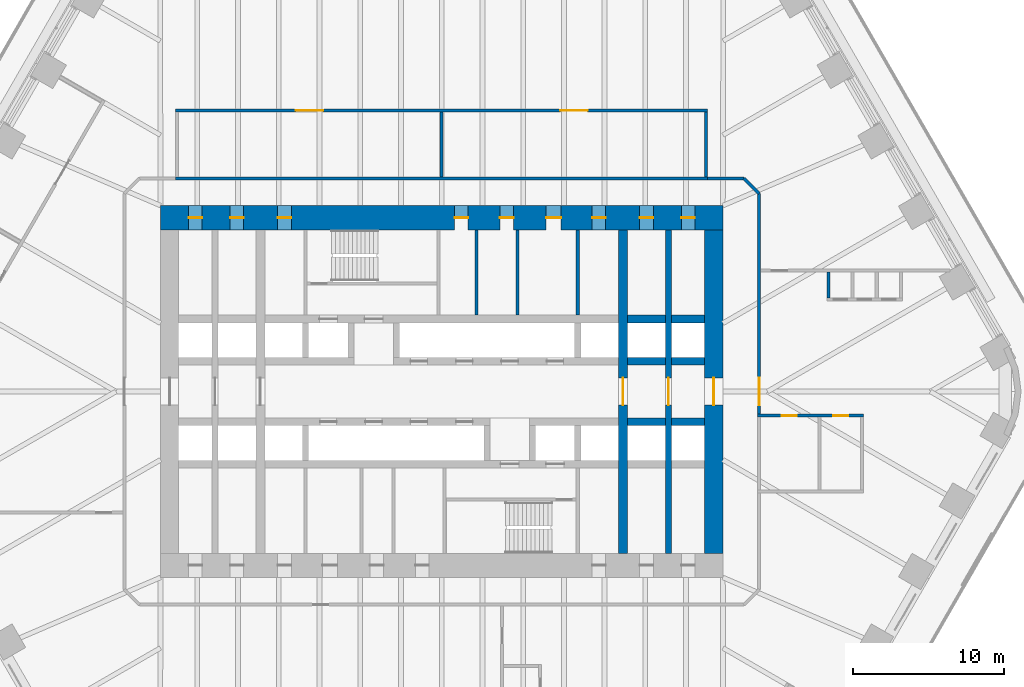
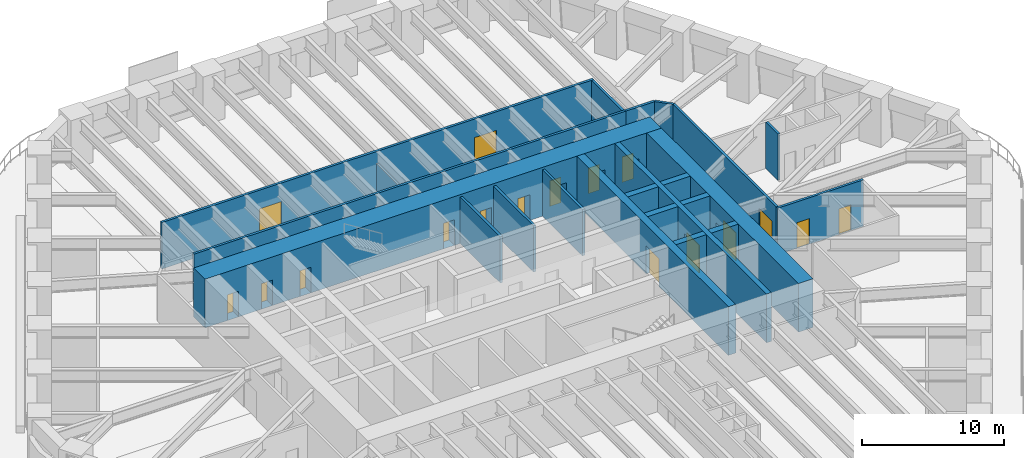
# One storey, part 19 of 24: 22 walls, 17 doors, 17 openings.
"""IFC4 building model written with IfcOpenShell, lengths in metres."""

import ifcopenshell
import ifcopenshell.guid

model = None  # the IFC model being written
_history = None  # IfcOwnerHistory: only IFC2X3 demands one
_inside = {}  # id of a spatial element -> (the spatial element, [elements in it])
_under = {}  # id of a project, library or spatial element -> (it, [spatial elements below it])
_declared = {}  # id of a project -> (the project, [libraries it declares])
_typed = {}  # id of a type object -> (the type object, [elements of that type])
_made_of = {}  # id of a material, layer set ... -> (it, [elements and type objects made of it])


def new_model(schema):
    """Start an empty IFC model of exactly this schema.

    Asked for "IFC4X3", IfcOpenShell would pick the latest addendum, in which some entities
    have other attributes; the version numbers below select the first issue.
    IFC2X3 requires an IfcOwnerHistory on every rooted entity: one is made here for all.
    """
    global model, _history
    if schema == "IFC4X3":
        model = ifcopenshell.file(schema_version=(4, 3, 0, 0))
    else:
        model = ifcopenshell.file(schema=schema)
    _inside.clear()
    _under.clear()
    _declared.clear()
    _typed.clear()
    _made_of.clear()
    _history = None
    if model.schema == "IFC2X3":
        org = make("IfcOrganization", Name="unknown")
        user = make(
            "IfcPersonAndOrganization",
            ThePerson=make("IfcPerson", FamilyName="unknown"),
            TheOrganization=org,
        )
        app = make(
            "IfcApplication",
            ApplicationDeveloper=org,
            Version="unknown",
            ApplicationFullName="unknown",
            ApplicationIdentifier="unknown",
        )
        _history = make(
            "IfcOwnerHistory",
            OwningUser=user,
            OwningApplication=app,
            ChangeAction="ADDED",
            CreationDate=0,
        )
    return model


def make(cls, **values):
    """One entity of the class cls with the attributes given. An attribute that is None is left unset."""
    return model.create_entity(
        cls, **{name: value for name, value in values.items() if value is not None}
    )


def rooted(cls, **values):
    """An entity with a GlobalId (a new one), such as an element, a storey or a relation."""
    return make(cls, GlobalId=ifcopenshell.guid.new(), OwnerHistory=_history, **values)


def si_unit(unit_type, name, prefix=None):
    """IfcSIUnit, for example si_unit("LENGTHUNIT", "METRE", prefix="MILLI")."""
    return make("IfcSIUnit", UnitType=unit_type, Prefix=prefix, Name=name)


def assignment(units):
    """IfcUnitAssignment: the units of a project."""
    return None if units is None else make("IfcUnitAssignment", Units=units)


def point(xyz):
    """IfcCartesianPoint."""
    return None if xyz is None else make("IfcCartesianPoint", Coordinates=xyz)


def direction(xyz):
    """IfcDirection."""
    return None if xyz is None else make("IfcDirection", DirectionRatios=xyz)


def frame(location, z_axis=None, x_axis=None):
    """IfcAxis2Placement3D, a coordinate frame: its origin and axes. An axis left out is left unset."""
    return make(
        "IfcAxis2Placement3D",
        Location=point(location),
        Axis=direction(z_axis),
        RefDirection=direction(x_axis),
    )


def frame_2d(location, x_axis=None):
    """IfcAxis2Placement2D, a coordinate frame in the plane: its origin and x axis."""
    return make(
        "IfcAxis2Placement2D", Location=point(location), RefDirection=direction(x_axis)
    )


def origin():
    """The frame at (0, 0, 0) with its axes left unset."""
    return frame((0.0, 0.0, 0.0))


def place(relative_to, where):
    """IfcLocalPlacement: puts the frame where relative to a parent placement (None: the world)."""
    return make(
        "IfcLocalPlacement", PlacementRelTo=relative_to, RelativePlacement=where
    )


def context(
    kind, dimensions, precision=None, world=None, true_north=None, identifier=None
):
    """IfcGeometricRepresentationContext, for example the 3D "Model" context."""
    return make(
        "IfcGeometricRepresentationContext",
        ContextIdentifier=identifier,
        ContextType=kind,
        CoordinateSpaceDimension=dimensions,
        Precision=precision,
        WorldCoordinateSystem=world,
        TrueNorth=true_north,
    )


def subcontext(parent, identifier, kind, view, scale=None):
    """IfcGeometricRepresentationSubContext, for example "Body" below "Model"."""
    return make(
        "IfcGeometricRepresentationSubContext",
        ContextIdentifier=identifier,
        ContextType=kind,
        ParentContext=parent,
        TargetScale=scale,
        TargetView=view,
    )


def project(units=None, contexts=None):
    """IfcProject with its units and contexts."""
    return rooted(
        "IfcProject",
        Name="project",
        RepresentationContexts=contexts,
        UnitsInContext=assignment(units),
    )


def spatial(cls, under=None, at=None, **own):
    """A site, building, storey or space (cls), placed at a placement, below another one or the project."""
    s = rooted(cls, ObjectPlacement=at, **own)
    if under is not None:
        _under.setdefault(under.id(), (under, []))[1].append(s)
    return s


def profile(cls, at=None, kind="AREA", **sizes):
    """A parametric profile (cls). Its sizes go by their IFC names, for example OverallWidth=200.0."""
    return make(cls, ProfileType=kind, Position=at, **sizes)


def rectangle(**sizes):
    """IfcRectangleProfileDef."""
    return profile("IfcRectangleProfileDef", **sizes)


def extrude(swept, where, along, depth):
    """IfcExtrudedAreaSolid: the profile swept, set in the frame where, extruded along a direction by depth."""
    return make(
        "IfcExtrudedAreaSolid",
        SweptArea=swept,
        Position=where,
        ExtrudedDirection=direction(along),
        Depth=depth,
    )


def shape(context_of_items, identifier, shape_type, items):
    """IfcShapeRepresentation: the items that make up one representation, for example the "Body"."""
    return make(
        "IfcShapeRepresentation",
        ContextOfItems=context_of_items,
        RepresentationIdentifier=identifier,
        RepresentationType=shape_type,
        Items=items,
    )


def material(Name=None, Category=None):
    """IfcMaterial."""
    return make("IfcMaterial", Name=Name, Category=Category)


def layer(
    of_material, thickness, ventilated=None, Name=None, Category=None, Priority=None
):
    """IfcMaterialLayer: one layer of a wall or slab, of a material (None: an air gap)."""
    return make(
        "IfcMaterialLayer",
        Material=of_material,
        LayerThickness=thickness,
        IsVentilated=ventilated,
        Name=Name,
        Category=Category,
        Priority=Priority,
    )


def layer_set(layers, Name=None):
    """IfcMaterialLayerSet."""
    return make("IfcMaterialLayerSet", MaterialLayers=layers, LayerSetName=Name)


def made_of(thing, what):
    """Note that an element or type object is made of a material, layer set ...; save() writes the relation."""
    if what is not None:
        _made_of.setdefault(what.id(), (what, []))[1].append(thing)
    return thing


def type_object(cls, material=None, **own):
    """A type object (cls), such as IfcWallType, which elements share."""
    return made_of(rooted(cls, **own), material)


def element(
    cls,
    number,
    at=None,
    inside=None,
    cuts=None,
    type_object=None,
    material=None,
    context=None,
    identifier="Body",
    shape_type=None,
    held_by="IfcProductDefinitionShape",
    body=None,
    shapes=None,
    **own,
):
    """One element of the class cls, such as IfcWall. Its Tag is "e" and its number.

    at: its placement. inside: the storey or other place that contains it. cuts: it is an
    opening in that element (IfcRelVoidsElement). A single representation is given by context,
    identifier, shape_type and body (its items); several are given by shapes. held_by: the class
    of the entity that holds the representations. save() writes the other relations.
    """
    e = rooted(cls, Tag="e%d" % number, ObjectPlacement=at, **own)
    if body is not None:
        shapes = [shape(context, identifier, shape_type, body)]
    if shapes is not None:
        e.Representation = make(held_by, Representations=shapes)
    if inside is not None:
        _inside.setdefault(inside.id(), (inside, []))[1].append(e)
    if cuts is not None:
        rooted(
            "IfcRelVoidsElement", RelatingBuildingElement=cuts, RelatedOpeningElement=e
        )
    if type_object is not None:
        _typed.setdefault(type_object.id(), (type_object, []))[1].append(e)
    return made_of(e, material)


def fill(opening, filler):
    """IfcRelFillsElement: the door or window that sits in an opening."""
    return rooted(
        "IfcRelFillsElement",
        RelatingOpeningElement=opening,
        RelatedBuildingElement=filler,
    )


def aggregate(whole, parts):
    """IfcRelAggregates: a whole, such as a stair, and the parts it consists of."""
    return rooted("IfcRelAggregates", RelatingObject=whole, RelatedObjects=parts)


def save(model, path):
    """Write the relations noted so far, then the file.

    IfcRelAggregates (storeys below a building ...), IfcRelContainedInSpatialStructure (elements
    in a storey), IfcRelDefinesByType, IfcRelAssociatesMaterial and IfcRelDeclares: one each for
    every whole, place, type object, material and project.
    """
    for whole, parts in _under.values():
        aggregate(whole, parts)
    for where, things in _inside.values():
        rooted(
            "IfcRelContainedInSpatialStructure",
            RelatedElements=things,
            RelatingStructure=where,
        )
    for kind, things in _typed.values():
        rooted("IfcRelDefinesByType", RelatedObjects=things, RelatingType=kind)
    for what, things in _made_of.values():
        rooted("IfcRelAssociatesMaterial", RelatedObjects=things, RelatingMaterial=what)
    for by, libraries in _declared.values():
        rooted("IfcRelDeclares", RelatingContext=by, RelatedDefinitions=libraries)
    model.write(path)


model = new_model("IFC4")

# Units and contexts
model_context = context("Model", 3, precision=1e-05, world=origin(), true_north=direction((0.0, 1.0)))
body_context = subcontext(model_context, "Body", "Model", "MODEL_VIEW")
ifc_project = project(units=[si_unit("LENGTHUNIT", "METRE"), si_unit("AREAUNIT", "SQUARE_METRE"), si_unit("VOLUMEUNIT", "CUBIC_METRE"), si_unit("PLANEANGLEUNIT", "RADIAN"), si_unit("MASSUNIT", "GRAM", prefix="KILO")], contexts=[model_context])

# Site, building, storey
site_placement = place(None, origin())
site = spatial("IfcSite", under=ifc_project, at=site_placement, CompositionType="ELEMENT")
building_placement = place(site_placement, origin())
building = spatial("IfcBuilding", under=site, at=building_placement, Name="Tarfa Lantern Tower", CompositionType="ELEMENT")
storey_placement = place(building_placement, frame((0.0, 0.0, 94.89990234375)))
storey = spatial("IfcBuildingStorey", under=building, at=storey_placement, Name="L21", CompositionType="ELEMENT", Elevation=94.89990234375)

# Walls
ifc_material_1 = material(Name="Concrete blockwork", Category="masonry")
ifc_layer_1 = layer(ifc_material_1, 0.199951171875)
ifc_layer_set_1 = layer_set([ifc_layer_1], Name="IW1 BLOCKWORK PARTITION 200 EI 120")
wall_type_1 = type_object("IfcWallType", Name="IW1 BLOCKWORK PARTITION 200 EI 120", PredefinedType="PARTITIONING", material=ifc_layer_set_1)
for number, where, z_axis, x_axis, name in (
    (1, (9.0, 5.050048828125, 0.0), (0.0, 0.0, 1.0), (0.0, 1.0, 0.0), "Core partition"),
    (2, (2.300048828125, 5.050048828125, 0.0), (0.0, 0.0, 1.0), (0.0, 1.0, 0.0), "Core partition"),
    (3, (5.0, 5.050048828125, 0.0), (0.0, 0.0, 1.0), (0.0, 1.0, 0.0), "Core partition"),
):
    element("IfcWall", number, at=place(storey_placement, frame(where, z_axis=z_axis, x_axis=x_axis)), inside=storey, type_object=wall_type_1, Name=name, PredefinedType="PARTITIONING", context=body_context, shape_type="SweptSolid", body=[
        extrude(rectangle(XDim=5.64990234375, YDim=0.199951171875, at=frame_2d((2.824951171875, 0.0))), origin(), (0.0, 0.0, 1.0), 4.0),
    ])
ifc_material_2 = material(Name="Gypsum board on steel studs", Category="steel")
ifc_layer_2 = layer(ifc_material_2, 0.2099609375)
ifc_layer_set_2 = layer_set([ifc_layer_2], Name="IW2 ACOUSTIC PARTITION 200")
wall_type_2 = type_object("IfcWallType", Name="IW2 ACOUSTIC PARTITION 200", PredefinedType="PARTITIONING", material=ifc_layer_set_2)
wall_1_placement = place(storey_placement, frame((-17.60009765625, 14.10009765625, 0.0), z_axis=(0.0, 0.0, 1.0), x_axis=(1.0, 0.0, 0.0)))
element("IfcWall", 4, at=wall_1_placement, inside=storey, type_object=wall_type_2, Name="Partition", PredefinedType="PARTITIONING", context=body_context, shape_type="SweptSolid", body=[
    extrude(rectangle(XDim=35.2001953125, YDim=0.199951171875, at=frame_2d((17.60009765625, 0.0))), origin(), (0.0, 0.0, 1.0), 4.0),
])

# Wall, openings, doors
wall_2_placement = place(storey_placement, frame((-17.60009765625, 18.60009765625, 0.0), z_axis=(0.0, 0.0, 1.0), x_axis=(1.0, 0.0, 0.0)))
wall_2 = element("IfcWall", 5, at=wall_2_placement, inside=storey, type_object=wall_type_2, Name="Partition", PredefinedType="PARTITIONING", context=body_context, shape_type="SweptSolid", body=[
    extrude(rectangle(XDim=35.2001953125, YDim=0.199951171875, at=frame_2d((17.60009765625, 0.0))), origin(), (0.0, 0.0, 1.0), 4.0),
])
opening_1_placement = place(wall_2_placement, frame((7.949951171875, 0.0, 0.0)))
opening_1 = element("IfcOpeningElement", 6, at=opening_1_placement, cuts=wall_2, Name="Opening D34", PredefinedType="OPENING", context=body_context, shape_type="SweptSolid", body=[
    extrude(rectangle(XDim=1.800048828125, YDim=2.39990234375, at=frame_2d((0.89990234375, 1.199951171875))), frame((0.0, 0.10986328125, 0.0), z_axis=(0.0, -1.0, 0.0), x_axis=(1.0, 0.0, 0.0)), (0.0, 0.0, 1.0), 0.219970703125),
])
opening_2_placement = place(wall_2_placement, frame((25.449951171875, 0.0, 0.0)))
opening_2 = element("IfcOpeningElement", 7, at=opening_2_placement, cuts=wall_2, Name="Opening D35", PredefinedType="OPENING", context=body_context, shape_type="SweptSolid", body=[
    extrude(rectangle(XDim=1.800048828125, YDim=2.39990234375, at=frame_2d((0.89990234375, 1.199951171875))), frame((0.0, 0.10986328125, 0.0), z_axis=(0.0, -1.0, 0.0), x_axis=(1.0, 0.0, 0.0)), (0.0, 0.0, 1.0), 0.219970703125),
])
ifc_material_3 = material(Name="Timber door", Category="wood")
door_type_1 = type_object("IfcDoorType", Name="DR2 ROOM DOOR 1800x2400", OperationType="DOUBLE_DOOR_SINGLE_SWING", PredefinedType="DOOR", material=ifc_material_3)
door_1_placement = place(opening_1_placement, frame((1.800048828125, 0.0, 0.0), z_axis=(0.0, 0.0, 1.0), x_axis=(-1.0, 0.0, 0.0)))
door_1 = element("IfcDoor", 8, at=door_1_placement, inside=storey, type_object=door_type_1, Name="Help desk office door", OperationType="DOUBLE_DOOR_SINGLE_SWING", OverallHeight=2.39990234375, OverallWidth=1.800048828125, PredefinedType="DOOR", context=body_context, shape_type="SweptSolid", body=[
    extrude(rectangle(XDim=1.800048828125, YDim=2.39990234375, at=frame_2d((0.89990234375, 1.199951171875))), frame((0.0, 0.02490234375, 0.0), z_axis=(0.0, -1.0, 0.0), x_axis=(1.0, 0.0, 0.0)), (0.0, 0.0, 1.0), 0.050048828125),
])
fill(opening_1, door_1)
door_2_placement = place(opening_2_placement, frame((1.800048828125, 0.0, 0.0), z_axis=(0.0, 0.0, 1.0), x_axis=(-1.0, 0.0, 0.0)))
door_2 = element("IfcDoor", 9, at=door_2_placement, inside=storey, type_object=door_type_1, Name="Workshop store door", OperationType="DOUBLE_DOOR_SINGLE_SWING", OverallHeight=2.39990234375, OverallWidth=1.800048828125, PredefinedType="DOOR", context=body_context, shape_type="SweptSolid", body=[
    extrude(rectangle(XDim=1.800048828125, YDim=2.39990234375, at=frame_2d((0.89990234375, 1.199951171875))), frame((0.0, 0.02490234375, 0.0), z_axis=(0.0, -1.0, 0.0), x_axis=(1.0, 0.0, 0.0)), (0.0, 0.0, 1.0), 0.050048828125),
])
fill(opening_2, door_2)

# Walls
wall_3_placement = place(storey_placement, frame((0.0, 14.199951171875, 0.0), z_axis=(0.0, 0.0, 1.0), x_axis=(0.0, 1.0, 0.0)))
element("IfcWall", 10, at=wall_3_placement, inside=storey, type_object=wall_type_2, Name="Partition", PredefinedType="PARTITIONING", context=body_context, shape_type="SweptSolid", body=[
    extrude(rectangle(XDim=4.300048828125, YDim=0.199951171875, at=frame_2d((2.14990234375, 0.0))), origin(), (0.0, 0.0, 1.0), 2.944091796875),
])
wall_4_placement = place(storey_placement, frame((17.5, 14.199951171875, 0.0), z_axis=(0.0, 0.0, 1.0), x_axis=(0.0, 1.0, 0.0)))
element("IfcWall", 11, at=wall_4_placement, inside=storey, type_object=wall_type_2, Name="Partition", PredefinedType="PARTITIONING", context=body_context, shape_type="SweptSolid", body=[
    extrude(rectangle(XDim=4.300048828125, YDim=0.199951171875, at=frame_2d((2.14990234375, 0.0))), origin(), (0.0, 0.0, 1.0), 4.0),
])

# Wall, openings, doors
wall_5_placement = place(storey_placement, frame((20.89990234375, -1.60009765625, 0.0), z_axis=(0.0, 0.0, 1.0), x_axis=(1.0, 0.0, 0.0)))
wall_5 = element("IfcWall", 12, at=wall_5_placement, inside=storey, type_object=wall_type_2, Name="Partition", PredefinedType="PARTITIONING", context=body_context, shape_type="SweptSolid", body=[
    extrude(rectangle(XDim=7.0, YDim=0.199951171875, at=frame_2d((3.5, 0.0))), origin(), (0.0, 0.0, 1.0), 4.0),
])
opening_3_placement = place(wall_5_placement, frame((1.60009765625, 0.0, 0.0)))
opening_3 = element("IfcOpeningElement", 13, at=opening_3_placement, cuts=wall_5, Name="Opening D29", PredefinedType="OPENING", context=body_context, shape_type="SweptSolid", body=[
    extrude(rectangle(XDim=1.0, YDim=2.199951171875, at=frame_2d((0.5, 1.10009765625))), frame((0.0, 0.10986328125, 0.0), z_axis=(0.0, -1.0, 0.0), x_axis=(1.0, 0.0, 0.0)), (0.0, 0.0, 1.0), 0.219970703125),
])
opening_4_placement = place(wall_5_placement, frame((5.0, 0.0, 0.0)))
opening_4 = element("IfcOpeningElement", 14, at=opening_4_placement, cuts=wall_5, Name="Opening D30", PredefinedType="OPENING", context=body_context, shape_type="SweptSolid", body=[
    extrude(rectangle(XDim=1.0, YDim=2.199951171875, at=frame_2d((0.5, 1.10009765625))), frame((0.0, 0.10986328125, 0.0), z_axis=(0.0, -1.0, 0.0), x_axis=(1.0, 0.0, 0.0)), (0.0, 0.0, 1.0), 0.219970703125),
])
door_type_2 = type_object("IfcDoorType", Name="DR1 ROOM DOOR 1000x2200", OperationType="SINGLE_SWING_LEFT", PredefinedType="DOOR", material=ifc_material_3)
door_3_placement = place(opening_3_placement, frame((1.0, 0.0, 0.0), z_axis=(0.0, 0.0, 1.0), x_axis=(-1.0, 0.0, 0.0)))
door_3 = element("IfcDoor", 15, at=door_3_placement, inside=storey, type_object=door_type_2, Name="Pantry door", OperationType="SINGLE_SWING_LEFT", OverallHeight=2.199951171875, OverallWidth=1.0, PredefinedType="DOOR", context=body_context, shape_type="SweptSolid", body=[
    extrude(rectangle(XDim=1.0, YDim=2.199951171875, at=frame_2d((0.5, 1.10009765625))), frame((0.0, 0.02490234375, 0.0), z_axis=(0.0, -1.0, 0.0), x_axis=(1.0, 0.0, 0.0)), (0.0, 0.0, 1.0), 0.050048828125),
])
fill(opening_3, door_3)
door_4_placement = place(opening_4_placement, frame((1.0, 0.0, 0.0), z_axis=(0.0, 0.0, 1.0), x_axis=(-1.0, 0.0, 0.0)))
door_4 = element("IfcDoor", 16, at=door_4_placement, inside=storey, type_object=door_type_2, Name="Focus room door", OperationType="SINGLE_SWING_RIGHT", OverallHeight=2.199951171875, OverallWidth=1.0, PredefinedType="DOOR", context=body_context, shape_type="SweptSolid", body=[
    extrude(rectangle(XDim=1.0, YDim=2.199951171875, at=frame_2d((0.5, 1.10009765625))), frame((0.0, 0.02490234375, 0.0), z_axis=(0.0, -1.0, 0.0), x_axis=(1.0, 0.0, 0.0)), (0.0, 0.0, 1.0), 0.050048828125),
])
fill(opening_4, door_4)

# Walls
wall_6_placement = place(storey_placement, frame((17.60009765625, 14.10009765625, 0.0), z_axis=(0.0, 0.0, 1.0), x_axis=(1.0, 0.0, 0.0)))
element("IfcWall", 17, at=wall_6_placement, inside=storey, type_object=wall_type_2, Name="Partition", PredefinedType="PARTITIONING", context=body_context, shape_type="SweptSolid", body=[
    extrude(rectangle(XDim=2.39990234375, YDim=0.199951171875, at=frame_2d((1.199951171875, 0.0))), origin(), (0.0, 0.0, 1.0), 4.0),
])
wall_7_placement = place(storey_placement, frame((20.0, 14.10009765625, 0.0), z_axis=(0.0, 0.0, 1.0), x_axis=(0.707106781187, -0.707106781187, 0.0)))
element("IfcWall", 18, at=wall_7_placement, inside=storey, type_object=wall_type_2, Name="Partition", PredefinedType="PARTITIONING", context=body_context, shape_type="SweptSolid", body=[
    extrude(rectangle(XDim=1.414306640625, YDim=0.199951171875, at=frame_2d((0.70703125, 0.0))), origin(), (0.0, 0.0, 1.0), 4.0),
])

# Wall, opening, door
wall_8_placement = place(storey_placement, frame((21.0, 13.10009765625, 0.0), z_axis=(0.0, 0.0, 1.0), x_axis=(0.0, -1.0, 0.0)))
wall_8 = element("IfcWall", 19, at=wall_8_placement, inside=storey, type_object=wall_type_2, Name="Partition", PredefinedType="PARTITIONING", context=body_context, shape_type="SweptSolid", body=[
    extrude(rectangle(XDim=14.59912109375, YDim=0.199951171875, at=frame_2d((7.299560546875, 0.0))), origin(), (0.0, 0.0, 1.0), 4.0),
])
opening_5_placement = place(wall_8_placement, frame((12.199951171875, 0.0, 0.0)))
opening_5 = element("IfcOpeningElement", 20, at=opening_5_placement, cuts=wall_8, Name="Opening D42", PredefinedType="OPENING", context=body_context, shape_type="SweptSolid", body=[
    extrude(rectangle(XDim=1.800048828125, YDim=2.39990234375, at=frame_2d((0.89990234375, 1.199951171875))), frame((0.0, 0.10986328125, 0.0), z_axis=(0.0, -1.0, 0.0), x_axis=(1.0, 0.0, 0.0)), (0.0, 0.0, 1.0), 0.219970703125),
])
door_5_placement = place(opening_5_placement, origin())
door_5 = element("IfcDoor", 21, at=door_5_placement, inside=storey, type_object=door_type_1, Name="Corridor door", OperationType="DOUBLE_DOOR_SINGLE_SWING", OverallHeight=2.39990234375, OverallWidth=1.800048828125, PredefinedType="DOOR", context=body_context, shape_type="SweptSolid", body=[
    extrude(rectangle(XDim=1.800048828125, YDim=2.39990234375, at=frame_2d((0.89990234375, 1.199951171875))), frame((0.0, 0.02490234375, 0.0), z_axis=(0.0, -1.0, 0.0), x_axis=(1.0, 0.0, 0.0)), (0.0, 0.0, 1.0), 0.050048828125),
])
fill(opening_5, door_5)

# Wall
wall_9_placement = place(storey_placement, frame((25.5810546875, 7.89990234375, 0.0), z_axis=(0.0, 0.0, 1.0), x_axis=(0.0, -1.0, 0.0)))
element("IfcWall", 22, at=wall_9_placement, inside=storey, type_object=wall_type_2, Name="Partition", PredefinedType="PARTITIONING", context=body_context, shape_type="SweptSolid", body=[
    extrude(rectangle(XDim=1.699951171875, YDim=0.199951171875, at=frame_2d((0.85009765625, 0.0))), origin(), (0.0, 0.0, 1.0), 4.0),
])

# Wall, opening, door
ifc_material_4 = material(Name="Concrete C80/95", Category="concrete")
ifc_layer_3 = layer(ifc_material_4, 1.199951171875)
ifc_layer_set_3 = layer_set([ifc_layer_3], Name="SW1 CORE WALL 1200")
wall_type_3 = type_object("IfcWallType", Name="SW1 CORE WALL 1200", PredefinedType="SHEAR", material=ifc_layer_set_3)
wall_10_placement = place(storey_placement, frame((18.0, -10.699951171875, 0.0), z_axis=(0.0, 0.0, 1.0), x_axis=(0.0, 1.0, 0.0)))
wall_10 = element("IfcWall", 23, at=wall_10_placement, inside=storey, type_object=wall_type_3, Name="Core wall E", PredefinedType="SHEAR", context=body_context, shape_type="SweptSolid", body=[
    extrude(rectangle(XDim=21.39990234375, YDim=1.199951171875, at=frame_2d((10.699951171875, 0.0))), origin(), (0.0, 0.0, 1.0), 4.2001953125),
])
opening_6_placement = place(wall_10_placement, frame((9.800048828125, 0.0, 0.0)))
opening_6 = element("IfcOpeningElement", 24, at=opening_6_placement, cuts=wall_10, Name="Opening D15", PredefinedType="OPENING", context=body_context, shape_type="SweptSolid", body=[
    extrude(rectangle(XDim=1.800048828125, YDim=2.39990234375, at=frame_2d((0.89990234375, 1.199951171875))), frame((0.0, 0.60986328125, 0.0), z_axis=(0.0, -1.0, 0.0), x_axis=(1.0, 0.0, 0.0)), (0.0, 0.0, 1.0), 1.219970703125),
])
ifc_material_5 = material(Name="Steel fire door", Category="steel")
door_type_3 = type_object("IfcDoorType", Name="DL1 LOBBY DOOR 1800x2400", OperationType="DOUBLE_DOOR_SINGLE_SWING", PredefinedType="DOOR", material=ifc_material_5)
door_6_placement = place(opening_6_placement, frame((1.800048828125, 0.0, 0.0), z_axis=(0.0, 0.0, 1.0), x_axis=(-1.0, 0.0, 0.0)))
door_6 = element("IfcDoor", 25, at=door_6_placement, inside=storey, type_object=door_type_3, Name="Lift lobby door", OperationType="DOUBLE_DOOR_SINGLE_SWING", OverallHeight=2.39990234375, OverallWidth=1.800048828125, PredefinedType="DOOR", context=body_context, shape_type="SweptSolid", body=[
    extrude(rectangle(XDim=1.800048828125, YDim=2.39990234375, at=frame_2d((0.89990234375, 1.199951171875))), frame((0.0, 0.02490234375, 0.0), z_axis=(0.0, -1.0, 0.0), x_axis=(1.0, 0.0, 0.0)), (0.0, 0.0, 1.0), 0.050048828125),
])
fill(opening_6, door_6)

# Walls
ifc_layer_4 = layer(ifc_material_4, 0.5)
ifc_layer_set_4 = layer_set([ifc_layer_4], Name="SW5 CORE WALL 500")
wall_type_4 = type_object("IfcWallType", Name="SW5 CORE WALL 500", PredefinedType="SHEAR", material=ifc_layer_set_4)
wall_11_placement = place(storey_placement, frame((12.300048828125, 2.0, 0.0), z_axis=(0.0, 0.0, 1.0), x_axis=(1.0, 0.0, 0.0)))
element("IfcWall", 26, at=wall_11_placement, inside=storey, type_object=wall_type_4, Name="Core wall lobby east N", PredefinedType="SHEAR", context=body_context, shape_type="SweptSolid", body=[
    extrude(rectangle(XDim=2.5, YDim=0.5, at=frame_2d((1.25, 0.0))), origin(), (0.0, 0.0, 1.0), 4.2001953125),
])
wall_12_placement = place(storey_placement, frame((15.199951171875, 2.0, 0.0), z_axis=(0.0, 0.0, 1.0), x_axis=(1.0, 0.0, 0.0)))
element("IfcWall", 27, at=wall_12_placement, inside=storey, type_object=wall_type_4, Name="Core wall lobby east N", PredefinedType="SHEAR", context=body_context, shape_type="SweptSolid", body=[
    extrude(rectangle(XDim=2.199951171875, YDim=0.5, at=frame_2d((1.10009765625, 0.0))), origin(), (0.0, 0.0, 1.0), 4.2001953125),
])
wall_13_placement = place(storey_placement, frame((12.300048828125, 4.800048828125, 0.0), z_axis=(0.0, 0.0, 1.0), x_axis=(1.0, 0.0, 0.0)))
element("IfcWall", 28, at=wall_13_placement, inside=storey, type_object=wall_type_4, Name="Core wall rear N", PredefinedType="SHEAR", context=body_context, shape_type="SweptSolid", body=[
    extrude(rectangle(XDim=2.5, YDim=0.5, at=frame_2d((1.25, 0.0))), origin(), (0.0, 0.0, 1.0), 4.2001953125),
])
for number, where, z_axis, x_axis, name in (
    (29, (15.199951171875, 4.800048828125, 0.0), (0.0, 0.0, 1.0), (1.0, 0.0, 0.0), "Core wall rear N"),
    (30, (17.39990234375, -2.0, 0.0), (0.0, 0.0, 1.0), (-1.0, 0.0, 0.0), "Core wall lobby west S"),
):
    element("IfcWall", number, at=place(storey_placement, frame(where, z_axis=z_axis, x_axis=x_axis)), inside=storey, type_object=wall_type_4, Name=name, PredefinedType="SHEAR", context=body_context, shape_type="SweptSolid", body=[
        extrude(rectangle(XDim=2.199951171875, YDim=0.5, at=frame_2d((1.10009765625, 0.0))), origin(), (0.0, 0.0, 1.0), 4.2001953125),
    ])
wall_14_placement = place(storey_placement, frame((14.800048828125, -2.0, 0.0), z_axis=(0.0, 0.0, 1.0), x_axis=(-1.0, 0.0, 0.0)))
element("IfcWall", 31, at=wall_14_placement, inside=storey, type_object=wall_type_4, Name="Core wall lobby west S", PredefinedType="SHEAR", context=body_context, shape_type="SweptSolid", body=[
    extrude(rectangle(XDim=2.5, YDim=0.5, at=frame_2d((1.25, 0.0))), origin(), (0.0, 0.0, 1.0), 4.2001953125),
])

# Wall, opening, door
ifc_layer_5 = layer(ifc_material_4, 0.39990234375)
ifc_layer_set_5 = layer_set([ifc_layer_5], Name="SW6 CORE WALL 400")
wall_type_5 = type_object("IfcWallType", Name="SW6 CORE WALL 400", PredefinedType="SHEAR", material=ifc_layer_set_5)
wall_15_placement = place(storey_placement, frame((15.0, -10.699951171875, 0.0), z_axis=(0.0, 0.0, 1.0), x_axis=(0.0, 1.0, 0.0)))
wall_15 = element("IfcWall", 32, at=wall_15_placement, inside=storey, type_object=wall_type_5, Name="Core wall cross 15 m east", PredefinedType="SHEAR", context=body_context, shape_type="SweptSolid", body=[
    extrude(rectangle(XDim=21.39990234375, YDim=0.39990234375, at=frame_2d((10.699951171875, 0.0))), origin(), (0.0, 0.0, 1.0), 4.2001953125),
])
opening_7_placement = place(wall_15_placement, frame((9.800048828125, 0.0, 0.0)))
opening_7 = element("IfcOpeningElement", 33, at=opening_7_placement, cuts=wall_15, Name="Opening D26", PredefinedType="OPENING", context=body_context, shape_type="SweptSolid", body=[
    extrude(rectangle(XDim=1.800048828125, YDim=2.39990234375, at=frame_2d((0.89990234375, 1.199951171875))), frame((0.0, 0.2099609375, 0.0), z_axis=(0.0, -1.0, 0.0), x_axis=(1.0, 0.0, 0.0)), (0.0, 0.0, 1.0), 0.419921875),
])
door_7_placement = place(opening_7_placement, origin())
door_7 = element("IfcDoor", 34, at=door_7_placement, inside=storey, type_object=door_type_3, Name="Lift lobby door", OperationType="DOUBLE_DOOR_SINGLE_SWING", OverallHeight=2.39990234375, OverallWidth=1.800048828125, PredefinedType="DOOR", context=body_context, shape_type="SweptSolid", body=[
    extrude(rectangle(XDim=1.800048828125, YDim=2.39990234375, at=frame_2d((0.89990234375, 1.199951171875))), frame((0.0, 0.02490234375, 0.0), z_axis=(0.0, -1.0, 0.0), x_axis=(1.0, 0.0, 0.0)), (0.0, 0.0, 1.0), 0.050048828125),
])
fill(opening_7, door_7)

# Wall, openings, doors
ifc_layer_6 = layer(ifc_material_4, 1.60009765625)
ifc_layer_set_6 = layer_set([ifc_layer_6], Name="SW7 CORE WALL 1600")
wall_type_6 = type_object("IfcWallType", Name="SW7 CORE WALL 1600", PredefinedType="SHEAR", material=ifc_layer_set_6)
wall_16_placement = place(storey_placement, frame((-18.60009765625, 11.5, 0.0), z_axis=(0.0, 0.0, 1.0), x_axis=(1.0, 0.0, 0.0)))
wall_16 = element("IfcWall", 35, at=wall_16_placement, inside=storey, type_object=wall_type_6, Name="Core wall N", PredefinedType="SHEAR", context=body_context, shape_type="SweptSolid", body=[
    extrude(rectangle(XDim=37.2001953125, YDim=1.60009765625, at=frame_2d((18.60009765625, 0.0))), origin(), (0.0, 0.0, 1.0), 4.2001953125),
])
opening_8_placement = place(wall_16_placement, frame((19.449951171875, 0.0, 0.0)))
opening_8 = element("IfcOpeningElement", 36, at=opening_8_placement, cuts=wall_16, Name="Opening D17", PredefinedType="OPENING", context=body_context, shape_type="SweptSolid", body=[
    extrude(rectangle(XDim=0.89990234375, YDim=2.199951171875, at=frame_2d((0.449951171875, 1.10009765625))), frame((0.0, 0.81005859375, 0.0), z_axis=(0.0, -1.0, 0.0), x_axis=(1.0, 0.0, 0.0)), (0.0, 0.0, 1.0), 1.6201171875),
])
opening_9_placement = place(wall_16_placement, frame((22.449951171875, 0.0, 0.0)))
opening_9 = element("IfcOpeningElement", 37, at=opening_9_placement, cuts=wall_16, Name="Opening D19", PredefinedType="OPENING", context=body_context, shape_type="SweptSolid", body=[
    extrude(rectangle(XDim=0.89990234375, YDim=2.199951171875, at=frame_2d((0.449951171875, 1.10009765625))), frame((0.0, 0.81005859375, 0.0), z_axis=(0.0, -1.0, 0.0), x_axis=(1.0, 0.0, 0.0)), (0.0, 0.0, 1.0), 1.6201171875),
])
opening_10_placement = place(wall_16_placement, frame((25.5, 0.0, 0.0)))
opening_10 = element("IfcOpeningElement", 38, at=opening_10_placement, cuts=wall_16, Name="Opening D21", PredefinedType="OPENING", context=body_context, shape_type="SweptSolid", body=[
    extrude(rectangle(XDim=1.0, YDim=2.199951171875, at=frame_2d((0.5, 1.10009765625))), frame((0.0, 0.81005859375, 0.0), z_axis=(0.0, -1.0, 0.0), x_axis=(1.0, 0.0, 0.0)), (0.0, 0.0, 1.0), 1.6201171875),
])
opening_11_placement = place(wall_16_placement, frame((1.85009765625, 0.0, 0.0)))
opening_11 = element("IfcOpeningElement", 39, at=opening_11_placement, cuts=wall_16, Name="Opening D11", PredefinedType="OPENING", context=body_context, shape_type="SweptSolid", body=[
    extrude(rectangle(XDim=0.89990234375, YDim=2.199951171875, at=frame_2d((0.449951171875, 1.10009765625))), frame((0.0, 0.81005859375, 0.0), z_axis=(0.0, -1.0, 0.0), x_axis=(1.0, 0.0, 0.0)), (0.0, 0.0, 1.0), 1.6201171875),
])
opening_12_placement = place(wall_16_placement, frame((4.60009765625, 0.0, 0.0)))
opening_12 = element("IfcOpeningElement", 40, at=opening_12_placement, cuts=wall_16, Name="Opening D07", PredefinedType="OPENING", context=body_context, shape_type="SweptSolid", body=[
    extrude(rectangle(XDim=0.89990234375, YDim=2.199951171875, at=frame_2d((0.449951171875, 1.10009765625))), frame((0.0, 0.81005859375, 0.0), z_axis=(0.0, -1.0, 0.0), x_axis=(1.0, 0.0, 0.0)), (0.0, 0.0, 1.0), 1.6201171875),
])
opening_13_placement = place(wall_16_placement, frame((7.75, 0.0, 0.0)))
opening_13 = element("IfcOpeningElement", 41, at=opening_13_placement, cuts=wall_16, Name="Opening D09", PredefinedType="OPENING", context=body_context, shape_type="SweptSolid", body=[
    extrude(rectangle(XDim=0.89990234375, YDim=2.199951171875, at=frame_2d((0.449951171875, 1.10009765625))), frame((0.0, 0.81005859375, 0.0), z_axis=(0.0, -1.0, 0.0), x_axis=(1.0, 0.0, 0.0)), (0.0, 0.0, 1.0), 1.6201171875),
])
opening_14_placement = place(wall_16_placement, frame((28.550048828125, 0.0, 0.0)))
opening_14 = element("IfcOpeningElement", 42, at=opening_14_placement, cuts=wall_16, Name="Opening D05", PredefinedType="OPENING", context=body_context, shape_type="SweptSolid", body=[
    extrude(rectangle(XDim=0.89990234375, YDim=2.199951171875, at=frame_2d((0.449951171875, 1.10009765625))), frame((0.0, 0.81005859375, 0.0), z_axis=(0.0, -1.0, 0.0), x_axis=(1.0, 0.0, 0.0)), (0.0, 0.0, 1.0), 1.6201171875),
])
opening_15_placement = place(wall_16_placement, frame((31.699951171875, 0.0, 0.0)))
opening_15 = element("IfcOpeningElement", 43, at=opening_15_placement, cuts=wall_16, Name="Opening D01", PredefinedType="OPENING", context=body_context, shape_type="SweptSolid", body=[
    extrude(rectangle(XDim=0.89990234375, YDim=2.199951171875, at=frame_2d((0.449951171875, 1.10009765625))), frame((0.0, 0.81005859375, 0.0), z_axis=(0.0, -1.0, 0.0), x_axis=(1.0, 0.0, 0.0)), (0.0, 0.0, 1.0), 1.6201171875),
])
opening_16_placement = place(wall_16_placement, frame((34.449951171875, 0.0, 0.0)))
opening_16 = element("IfcOpeningElement", 44, at=opening_16_placement, cuts=wall_16, Name="Opening D03", PredefinedType="OPENING", context=body_context, shape_type="SweptSolid", body=[
    extrude(rectangle(XDim=0.89990234375, YDim=2.199951171875, at=frame_2d((0.449951171875, 1.10009765625))), frame((0.0, 0.81005859375, 0.0), z_axis=(0.0, -1.0, 0.0), x_axis=(1.0, 0.0, 0.0)), (0.0, 0.0, 1.0), 1.6201171875),
])
door_type_4 = type_object("IfcDoorType", Name="DF3 CORE ROOM DOOR 900x2200", OperationType="SINGLE_SWING_LEFT", PredefinedType="DOOR", material=ifc_material_5)
door_8_placement = place(opening_8_placement, frame((0.89990234375, 0.0, 0.0), z_axis=(0.0, 0.0, 1.0), x_axis=(-1.0, 0.0, 0.0)))
door_8 = element("IfcDoor", 45, at=door_8_placement, inside=storey, type_object=door_type_4, Name="Core door", OperationType="SINGLE_SWING_RIGHT", OverallHeight=2.199951171875, OverallWidth=0.89990234375, PredefinedType="DOOR", context=body_context, shape_type="SweptSolid", body=[
    extrude(rectangle(XDim=0.89990234375, YDim=2.199951171875, at=frame_2d((0.449951171875, 1.10009765625))), frame((0.0, 0.02490234375, 0.0), z_axis=(0.0, -1.0, 0.0), x_axis=(1.0, 0.0, 0.0)), (0.0, 0.0, 1.0), 0.050048828125),
])
fill(opening_8, door_8)
door_9_placement = place(opening_9_placement, frame((0.89990234375, 0.0, 0.0), z_axis=(0.0, 0.0, 1.0), x_axis=(-1.0, 0.0, 0.0)))
door_9 = element("IfcDoor", 46, at=door_9_placement, inside=storey, type_object=door_type_4, Name="Core door", OperationType="SINGLE_SWING_RIGHT", OverallHeight=2.199951171875, OverallWidth=0.89990234375, PredefinedType="DOOR", context=body_context, shape_type="SweptSolid", body=[
    extrude(rectangle(XDim=0.89990234375, YDim=2.199951171875, at=frame_2d((0.449951171875, 1.10009765625))), frame((0.0, 0.02490234375, 0.0), z_axis=(0.0, -1.0, 0.0), x_axis=(1.0, 0.0, 0.0)), (0.0, 0.0, 1.0), 0.050048828125),
])
fill(opening_9, door_9)
door_type_5 = type_object("IfcDoorType", Name="DF4 CORE ROOM DOOR 1000x2200", OperationType="SINGLE_SWING_LEFT", PredefinedType="DOOR", material=ifc_material_5)
door_10_placement = place(opening_10_placement, frame((1.0, 0.0, 0.0), z_axis=(0.0, 0.0, 1.0), x_axis=(-1.0, 0.0, 0.0)))
door_10 = element("IfcDoor", 47, at=door_10_placement, inside=storey, type_object=door_type_5, Name="Core door", OperationType="SINGLE_SWING_RIGHT", OverallHeight=2.199951171875, OverallWidth=1.0, PredefinedType="DOOR", context=body_context, shape_type="SweptSolid", body=[
    extrude(rectangle(XDim=1.0, YDim=2.199951171875, at=frame_2d((0.5, 1.10009765625))), frame((0.0, 0.02490234375, 0.0), z_axis=(0.0, -1.0, 0.0), x_axis=(1.0, 0.0, 0.0)), (0.0, 0.0, 1.0), 0.050048828125),
])
fill(opening_10, door_10)
door_type_6 = type_object("IfcDoorType", Name="DF5 RISER DOOR 900x2200", OperationType="SINGLE_SWING_LEFT", PredefinedType="DOOR", material=ifc_material_5)
door_11_placement = place(opening_11_placement, frame((0.89990234375, 0.0, 0.0), z_axis=(0.0, 0.0, 1.0), x_axis=(-1.0, 0.0, 0.0)))
door_11 = element("IfcDoor", 48, at=door_11_placement, inside=storey, type_object=door_type_6, Name="Riser door", OperationType="SINGLE_SWING_LEFT", OverallHeight=2.199951171875, OverallWidth=0.89990234375, PredefinedType="DOOR", context=body_context, shape_type="SweptSolid", body=[
    extrude(rectangle(XDim=0.89990234375, YDim=2.199951171875, at=frame_2d((0.449951171875, 1.10009765625))), frame((0.0, 0.02490234375, 0.0), z_axis=(0.0, -1.0, 0.0), x_axis=(1.0, 0.0, 0.0)), (0.0, 0.0, 1.0), 0.050048828125),
])
fill(opening_11, door_11)
door_12_placement = place(opening_12_placement, frame((0.89990234375, 0.0, 0.0), z_axis=(0.0, 0.0, 1.0), x_axis=(-1.0, 0.0, 0.0)))
door_12 = element("IfcDoor", 49, at=door_12_placement, inside=storey, type_object=door_type_6, Name="Riser door", OperationType="SINGLE_SWING_LEFT", OverallHeight=2.199951171875, OverallWidth=0.89990234375, PredefinedType="DOOR", context=body_context, shape_type="SweptSolid", body=[
    extrude(rectangle(XDim=0.89990234375, YDim=2.199951171875, at=frame_2d((0.449951171875, 1.10009765625))), frame((0.0, 0.02490234375, 0.0), z_axis=(0.0, -1.0, 0.0), x_axis=(1.0, 0.0, 0.0)), (0.0, 0.0, 1.0), 0.050048828125),
])
fill(opening_12, door_12)
door_13_placement = place(opening_13_placement, frame((0.89990234375, 0.0, 0.0), z_axis=(0.0, 0.0, 1.0), x_axis=(-1.0, 0.0, 0.0)))
door_13 = element("IfcDoor", 50, at=door_13_placement, inside=storey, type_object=door_type_6, Name="Riser door", OperationType="SINGLE_SWING_LEFT", OverallHeight=2.199951171875, OverallWidth=0.89990234375, PredefinedType="DOOR", context=body_context, shape_type="SweptSolid", body=[
    extrude(rectangle(XDim=0.89990234375, YDim=2.199951171875, at=frame_2d((0.449951171875, 1.10009765625))), frame((0.0, 0.02490234375, 0.0), z_axis=(0.0, -1.0, 0.0), x_axis=(1.0, 0.0, 0.0)), (0.0, 0.0, 1.0), 0.050048828125),
])
fill(opening_13, door_13)
door_14_placement = place(opening_14_placement, frame((0.89990234375, 0.0, 0.0), z_axis=(0.0, 0.0, 1.0), x_axis=(-1.0, 0.0, 0.0)))
door_14 = element("IfcDoor", 51, at=door_14_placement, inside=storey, type_object=door_type_6, Name="Riser door", OperationType="SINGLE_SWING_RIGHT", OverallHeight=2.199951171875, OverallWidth=0.89990234375, PredefinedType="DOOR", context=body_context, shape_type="SweptSolid", body=[
    extrude(rectangle(XDim=0.89990234375, YDim=2.199951171875, at=frame_2d((0.449951171875, 1.10009765625))), frame((0.0, 0.02490234375, 0.0), z_axis=(0.0, -1.0, 0.0), x_axis=(1.0, 0.0, 0.0)), (0.0, 0.0, 1.0), 0.050048828125),
])
fill(opening_14, door_14)
door_15_placement = place(opening_15_placement, frame((0.89990234375, 0.0, 0.0), z_axis=(0.0, 0.0, 1.0), x_axis=(-1.0, 0.0, 0.0)))
door_15 = element("IfcDoor", 52, at=door_15_placement, inside=storey, type_object=door_type_6, Name="Riser door", OperationType="SINGLE_SWING_RIGHT", OverallHeight=2.199951171875, OverallWidth=0.89990234375, PredefinedType="DOOR", context=body_context, shape_type="SweptSolid", body=[
    extrude(rectangle(XDim=0.89990234375, YDim=2.199951171875, at=frame_2d((0.449951171875, 1.10009765625))), frame((0.0, 0.02490234375, 0.0), z_axis=(0.0, -1.0, 0.0), x_axis=(1.0, 0.0, 0.0)), (0.0, 0.0, 1.0), 0.050048828125),
])
fill(opening_15, door_15)
door_16_placement = place(opening_16_placement, frame((0.89990234375, 0.0, 0.0), z_axis=(0.0, 0.0, 1.0), x_axis=(-1.0, 0.0, 0.0)))
door_16 = element("IfcDoor", 53, at=door_16_placement, inside=storey, type_object=door_type_6, Name="Riser door", OperationType="SINGLE_SWING_RIGHT", OverallHeight=2.199951171875, OverallWidth=0.89990234375, PredefinedType="DOOR", context=body_context, shape_type="SweptSolid", body=[
    extrude(rectangle(XDim=0.89990234375, YDim=2.199951171875, at=frame_2d((0.449951171875, 1.10009765625))), frame((0.0, 0.02490234375, 0.0), z_axis=(0.0, -1.0, 0.0), x_axis=(1.0, 0.0, 0.0)), (0.0, 0.0, 1.0), 0.050048828125),
])
fill(opening_16, door_16)

# Wall, opening, door
ifc_layer_7 = layer(ifc_material_4, 0.60009765625)
ifc_layer_set_7 = layer_set([ifc_layer_7], Name="SW9 CORE WALL 600")
wall_type_7 = type_object("IfcWallType", Name="SW9 CORE WALL 600", PredefinedType="SHEAR", material=ifc_layer_set_7)
wall_17_placement = place(storey_placement, frame((12.0, -10.699951171875, 0.0), z_axis=(0.0, 0.0, 1.0), x_axis=(0.0, 1.0, 0.0)))
wall_17 = element("IfcWall", 54, at=wall_17_placement, inside=storey, type_object=wall_type_7, Name="Core wall cross 12 m east", PredefinedType="SHEAR", context=body_context, shape_type="SweptSolid", body=[
    extrude(rectangle(XDim=21.39990234375, YDim=0.60009765625, at=frame_2d((10.699951171875, 0.0))), origin(), (0.0, 0.0, 1.0), 4.2001953125),
])
opening_17_placement = place(wall_17_placement, frame((9.800048828125, 0.0, 0.0)))
opening_17 = element("IfcOpeningElement", 55, at=opening_17_placement, cuts=wall_17, Name="Opening D25", PredefinedType="OPENING", context=body_context, shape_type="SweptSolid", body=[
    extrude(rectangle(XDim=1.800048828125, YDim=2.39990234375, at=frame_2d((0.89990234375, 1.199951171875))), frame((0.0, 0.31005859375, 0.0), z_axis=(0.0, -1.0, 0.0), x_axis=(1.0, 0.0, 0.0)), (0.0, 0.0, 1.0), 0.6201171875),
])
door_17_placement = place(opening_17_placement, origin())
door_17 = element("IfcDoor", 56, at=door_17_placement, inside=storey, type_object=door_type_3, Name="Lift lobby door", OperationType="DOUBLE_DOOR_SINGLE_SWING", OverallHeight=2.39990234375, OverallWidth=1.800048828125, PredefinedType="DOOR", context=body_context, shape_type="SweptSolid", body=[
    extrude(rectangle(XDim=1.800048828125, YDim=2.39990234375, at=frame_2d((0.89990234375, 1.199951171875))), frame((0.0, 0.02490234375, 0.0), z_axis=(0.0, -1.0, 0.0), x_axis=(1.0, 0.0, 0.0)), (0.0, 0.0, 1.0), 0.050048828125),
])
fill(opening_17, door_17)

save(model, "model.ifc")
